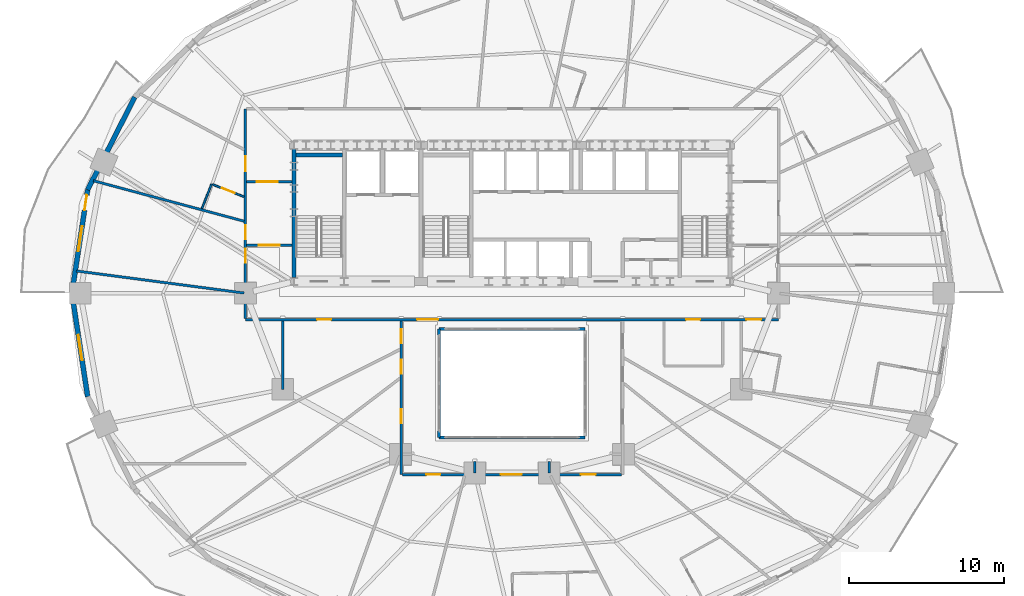
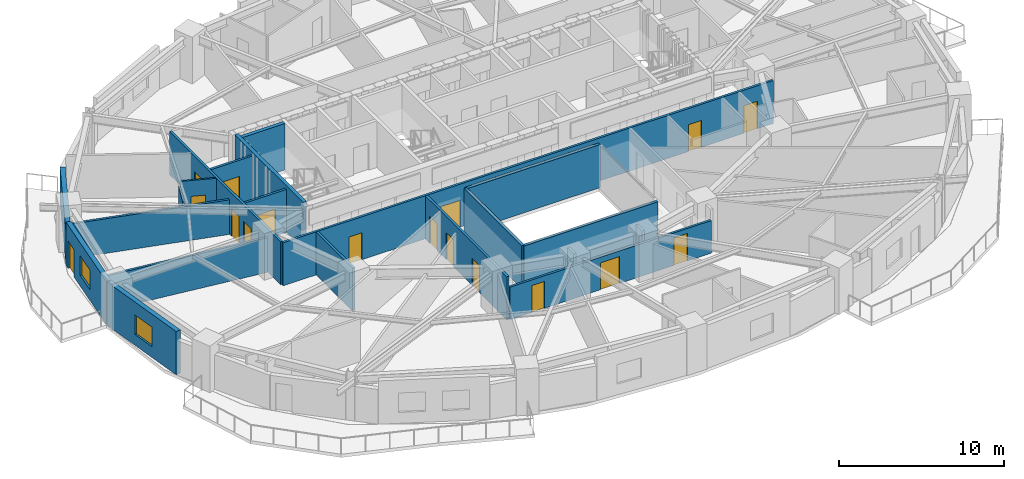
# One storey, part 8 of 15: 21 walls, 17 doors, 2 windows, 19 openings.
"""IFC4 building model written with IfcOpenShell, lengths in metres."""

from ifc_helpers import new_model, si_unit, direction, frame, frame_2d, origin, place, context, subcontext, project, spatial, rectangle, extrude, material, layer, layer_set, type_object, element, fill, save


model = new_model("IFC4")

# Units and contexts
model_context = context("Model", 3, precision=1e-05, world=origin(), true_north=direction((0.0, 1.0)))
body_context = subcontext(model_context, "Body", "Model", "MODEL_VIEW")
ifc_project = project(units=[si_unit("LENGTHUNIT", "METRE"), si_unit("AREAUNIT", "SQUARE_METRE"), si_unit("VOLUMEUNIT", "CUBIC_METRE"), si_unit("PLANEANGLEUNIT", "RADIAN"), si_unit("MASSUNIT", "GRAM", prefix="KILO")], contexts=[model_context])

# Site, building, storey
site_placement = place(None, origin())
site = spatial("IfcSite", under=ifc_project, at=site_placement, CompositionType="ELEMENT")
building_placement = place(site_placement, origin())
building = spatial("IfcBuilding", under=site, at=building_placement, Name="Haldorwick Loom Tower", CompositionType="ELEMENT")
storey_placement = place(building_placement, frame((0.0, 0.0, 85.25)))
storey = spatial("IfcBuildingStorey", under=building, at=storey_placement, Name="L22", CompositionType="ELEMENT", Elevation=85.25)

# Wall
ifc_material_1 = material(Name="Pressed Clay Face Brick and Insulated Masonry Backup Assembly", Category="masonry")
ifc_layer_1 = layer(ifc_material_1, 0.320068359375, Name="Pressed Clay Face Brick and Insulated Masonry Backup Assembly", Category="masonry")
ifc_layer_set_1 = layer_set([ifc_layer_1], Name="Pressed Clay Face Brick and Insulated Masonry Backup Assembly")
wall_type_1 = type_object("IfcWallType", Name="ARC-WL-EXT320", PredefinedType="STANDARD", material=ifc_layer_set_1)
wall_1_placement = place(storey_placement, frame((11.661376953125, 38.655517578125, 0.0), z_axis=(0.0, 0.0, 1.0), x_axis=(-0.453374078001, -0.89132033826, 0.0)))
element("IfcWall", 1, at=wall_1_placement, inside=storey, type_object=wall_type_1, Name="L22 Brick Pier and Spandrel Wall 11", PredefinedType="STANDARD", context=body_context, shape_type="SweptSolid", body=[
    extrude(rectangle(XDim=6.709716796875, YDim=0.320068359375, at=frame_2d((3.35498046875, 0.0))), origin(), (0.0, 0.0, 1.0), 2.569091796875),
])

# Wall, openings, door, window
wall_2_placement = place(storey_placement, frame((8.619384765625, 32.675048828125, 0.0), z_axis=(0.0, 0.0, 1.0), x_axis=(-0.150633288003, -0.988589708901, 0.0)))
wall_2 = element("IfcWall", 2, at=wall_2_placement, inside=storey, type_object=wall_type_1, Name="L22 Brick Pier and Spandrel Wall 12", PredefinedType="STANDARD", context=body_context, shape_type="SweptSolid", body=[
    extrude(rectangle(XDim=6.752197265625, YDim=0.320068359375, at=frame_2d((3.3759765625, 0.0))), origin(), (0.0, 0.0, 1.0), 3.2099609375),
])
opening_1_placement = place(wall_2_placement, frame((0.340087890625, 0.0, 0.0)))
opening_1 = element("IfcOpeningElement", 3, at=opening_1_placement, cuts=wall_2, Name="Opening D-BL10", PredefinedType="OPENING", context=body_context, shape_type="SweptSolid", body=[
    extrude(rectangle(XDim=1.0, YDim=2.0400390625, at=frame_2d((0.5, 1.02001953125))), frame((0.0, 0.169921875, 0.0), z_axis=(0.0, -1.0, 0.0), x_axis=(1.0, 0.0, 0.0)), (0.0, 0.0, 1.0), 0.340087890625),
])
opening_2_placement = place(wall_2_placement, frame((2.371826171875, 0.0, 0.800048828125)))
opening_2 = element("IfcOpeningElement", 4, at=opening_2_placement, cuts=wall_2, Name="Opening W-01B", PredefinedType="OPENING", context=body_context, shape_type="SweptSolid", body=[
    extrude(rectangle(XDim=1.64990234375, YDim=1.449951171875, at=frame_2d((0.824951171875, 0.72509765625))), frame((0.0, 0.169921875, 0.0), z_axis=(0.0, -1.0, 0.0), x_axis=(1.0, 0.0, 0.0)), (0.0, 0.0, 1.0), 0.340087890625),
])
ifc_material_2 = material(Name="Thermally Broken Anodized Aluminium Curtain Wall Framing", Category="aluminium")
door_type_1 = type_object("IfcDoorType", Name="ARC-DR-BAL100", OperationType="NOTDEFINED", PredefinedType="DOOR", material=ifc_material_2)
door_1_placement = place(opening_1_placement, origin())
door_1 = element("IfcDoor", 5, at=door_1_placement, inside=storey, type_object=door_type_1, Name="L22 Outdoor Terrace Door SLB-L22-BAL_WNW", OperationType="SINGLE_SWING_RIGHT", OverallHeight=2.0400390625, OverallWidth=1.0, PredefinedType="DOOR", context=body_context, shape_type="SweptSolid", body=[
    extrude(rectangle(XDim=1.0, YDim=2.0400390625, at=frame_2d((0.5, 1.02001953125))), frame((0.0, 0.02490234375, 0.0), z_axis=(0.0, -1.0, 0.0), x_axis=(1.0, 0.0, 0.0)), (0.0, 0.0, 1.0), 0.050048828125),
])
fill(opening_1, door_1)
ifc_material_3 = material(Name="Triple-Glazed Low-E Argon Insulated Glazing Unit", Category="glass")
window_type = type_object("IfcWindowType", Name="ARC-WIN-W165", PartitioningType="SINGLE_PANEL", PredefinedType="WINDOW", material=ifc_material_3)
window_1_placement = place(opening_2_placement, origin())
window_1 = element("IfcWindow", 6, at=window_1_placement, inside=storey, type_object=window_type, Name="L22 Deep-Set Zone 7A Window 12", OverallHeight=1.449951171875, OverallWidth=1.64990234375, PartitioningType="SINGLE_PANEL", PredefinedType="WINDOW", context=body_context, shape_type="SweptSolid", body=[
    extrude(rectangle(XDim=1.64990234375, YDim=1.449951171875, at=frame_2d((0.824951171875, 0.72509765625))), frame((0.0, 0.030029296875, 0.0), z_axis=(0.0, -1.0, 0.0), x_axis=(1.0, 0.0, 0.0)), (0.0, 0.0, 1.0), 0.06005859375),
])
fill(opening_2, window_1)

# Wall, opening, window
wall_3_placement = place(storey_placement, frame((7.602294921875, 26.0, 0.0), z_axis=(0.0, 0.0, 1.0), x_axis=(0.150633288003, -0.988589708901, 0.0)))
wall_3 = element("IfcWall", 7, at=wall_3_placement, inside=storey, type_object=wall_type_1, Name="L22 Brick Pier and Spandrel Wall 13", PredefinedType="STANDARD", context=body_context, shape_type="SweptSolid", body=[
    extrude(rectangle(XDim=6.752197265625, YDim=0.320068359375, at=frame_2d((3.3759765625, 0.0))), origin(), (0.0, 0.0, 1.0), 3.2099609375),
])
opening_3_placement = place(wall_3_placement, frame((2.730224609375, 0.0, 0.800048828125)))
opening_3 = element("IfcOpeningElement", 8, at=opening_3_placement, cuts=wall_3, Name="Opening W-01B", PredefinedType="OPENING", context=body_context, shape_type="SweptSolid", body=[
    extrude(rectangle(XDim=1.64990234375, YDim=1.449951171875, at=frame_2d((0.824951171875, 0.72509765625))), frame((0.0, 0.169921875, 0.0), z_axis=(0.0, -1.0, 0.0), x_axis=(1.0, 0.0, 0.0)), (0.0, 0.0, 1.0), 0.340087890625),
])
window_2_placement = place(opening_3_placement, origin())
window_2 = element("IfcWindow", 9, at=window_2_placement, inside=storey, type_object=window_type, Name="L22 Deep-Set Zone 7A Window 13", OverallHeight=1.449951171875, OverallWidth=1.64990234375, PartitioningType="SINGLE_PANEL", PredefinedType="WINDOW", context=body_context, shape_type="SweptSolid", body=[
    extrude(rectangle(XDim=1.64990234375, YDim=1.449951171875, at=frame_2d((0.824951171875, 0.72509765625))), frame((0.0, 0.030029296875, 0.0), z_axis=(0.0, -1.0, 0.0), x_axis=(1.0, 0.0, 0.0)), (0.0, 0.0, 1.0), 0.06005859375),
])
fill(opening_3, window_2)

# Wall, openings, doors
ifc_material_4 = material(Name="Fire-Rated Type X Gypsum Stud Assembly EI 60")
ifc_layer_2 = layer(ifc_material_4, 0.159912109375, Name="Fire-Rated Type X Gypsum Stud Assembly EI 60")
ifc_layer_set_2 = layer_set([ifc_layer_2], Name="Fire-Rated Type X Gypsum Stud Assembly EI 60")
wall_type_2 = type_object("IfcWallType", Name="ARC-WL-FIRE160", PredefinedType="PARTITIONING", material=ifc_layer_set_2)
wall_4_placement = place(storey_placement, frame((18.800048828125, 24.300048828125, 0.0), z_axis=(0.0, 0.0, 1.0), x_axis=(1.0, 0.0, 0.0)))
wall_4 = element("IfcWall", 10, at=wall_4_placement, inside=storey, type_object=wall_type_2, Name="L22 Residential Fire Partition L22-CR-SP", PredefinedType="PARTITIONING", context=body_context, shape_type="SweptSolid", body=[
    extrude(rectangle(XDim=34.39990234375, YDim=0.159912109375, at=frame_2d((17.199951171875, 0.0))), origin(), (0.0, 0.0, 1.0), 3.195068359375),
])
opening_4_placement = place(wall_4_placement, frame((11.085693359375, 0.0, 0.0)))
opening_4 = element("IfcOpeningElement", 11, at=opening_4_placement, cuts=wall_4, Name="Opening D-CR15", PredefinedType="OPENING", context=body_context, shape_type="SweptSolid", body=[
    extrude(rectangle(XDim=1.35009765625, YDim=2.0, at=frame_2d((0.675048828125, 1.0))), frame((0.0, 0.08984375, 0.0), z_axis=(0.0, -1.0, 0.0), x_axis=(1.0, 0.0, 0.0)), (0.0, 0.0, 1.0), 0.179931640625),
])
opening_5_placement = place(wall_4_placement, frame((4.621826171875, 0.0, 0.0)))
opening_5 = element("IfcOpeningElement", 12, at=opening_5_placement, cuts=wall_4, Name="Opening D-FD60A", PredefinedType="OPENING", context=body_context, shape_type="SweptSolid", body=[
    extrude(rectangle(XDim=0.89990234375, YDim=2.0, at=frame_2d((0.449951171875, 1.0))), frame((0.0, 0.08984375, 0.0), z_axis=(0.0, -1.0, 0.0), x_axis=(1.0, 0.0, 0.0)), (0.0, 0.0, 1.0), 0.179931640625),
])
opening_6_placement = place(wall_4_placement, frame((28.437255859375, 0.0, 0.0)))
opening_6 = element("IfcOpeningElement", 13, at=opening_6_placement, cuts=wall_4, Name="Opening D-FD60A", PredefinedType="OPENING", context=body_context, shape_type="SweptSolid", body=[
    extrude(rectangle(XDim=0.89990234375, YDim=2.0, at=frame_2d((0.449951171875, 1.0))), frame((0.0, 0.08984375, 0.0), z_axis=(0.0, -1.0, 0.0), x_axis=(1.0, 0.0, 0.0)), (0.0, 0.0, 1.0), 0.179931640625),
])
opening_7_placement = place(wall_4_placement, frame((32.319091796875, 0.0, 0.0)))
opening_7 = element("IfcOpeningElement", 14, at=opening_7_placement, cuts=wall_4, Name="Opening D-FL95", PredefinedType="OPENING", context=body_context, shape_type="SweptSolid", body=[
    extrude(rectangle(XDim=0.949951171875, YDim=2.0400390625, at=frame_2d((0.47509765625, 1.02001953125))), frame((0.0, 0.08984375, 0.0), z_axis=(0.0, -1.0, 0.0), x_axis=(1.0, 0.0, 0.0)), (0.0, 0.0, 1.0), 0.179931640625),
])
ifc_material_5 = material(Name="Thermally Broken Anodized Aluminium and Tempered Glass", Category="aluminium")
door_type_2 = type_object("IfcDoorType", Name="ARC-DR-COR150", OperationType="NOTDEFINED", PredefinedType="DOOR", material=ifc_material_5)
door_2_placement = place(opening_4_placement, origin())
door_2 = element("IfcDoor", 15, at=door_2_placement, inside=storey, type_object=door_type_2, Name="L22 L22 Central Residential Corridor to L22 South Atrium Corridor Door", OperationType="DOUBLE_DOOR_SINGLE_SWING", OverallHeight=2.0, OverallWidth=1.35009765625, PredefinedType="DOOR", context=body_context, shape_type="SweptSolid", body=[
    extrude(rectangle(XDim=1.35009765625, YDim=2.0, at=frame_2d((0.675048828125, 1.0))), frame((0.0, 0.02490234375, 0.0), z_axis=(0.0, -1.0, 0.0), x_axis=(1.0, 0.0, 0.0)), (0.0, 0.0, 1.0), 0.050048828125),
])
fill(opening_4, door_2)
ifc_material_6 = material(Name="Hollow Steel Fire Door Assembly", Category="steel")
door_type_3 = type_object("IfcDoorType", Name="ARC-DR-FD60-90", OperationType="NOTDEFINED", PredefinedType="DOOR", material=ifc_material_6)
door_3_placement = place(opening_5_placement, origin())
door_3 = element("IfcDoor", 16, at=door_3_placement, inside=storey, type_object=door_type_3, Name="L22 L22 Central Residential Corridor to Shared Resident Dining Hall 15 D", OperationType="SINGLE_SWING_RIGHT", OverallHeight=2.0, OverallWidth=0.89990234375, PredefinedType="DOOR", context=body_context, shape_type="SweptSolid", body=[
    extrude(rectangle(XDim=0.89990234375, YDim=2.0, at=frame_2d((0.449951171875, 1.0))), frame((0.0, 0.02490234375, 0.0), z_axis=(0.0, -1.0, 0.0), x_axis=(1.0, 0.0, 0.0)), (0.0, 0.0, 1.0), 0.050048828125),
])
fill(opening_5, door_3)
door_4_placement = place(opening_6_placement, origin())
door_4 = element("IfcDoor", 17, at=door_4_placement, inside=storey, type_object=door_type_3, Name="L22 L22 Central Residential Corridor to Common Accessible WC Door", OperationType="SINGLE_SWING_LEFT", OverallHeight=2.0, OverallWidth=0.89990234375, PredefinedType="DOOR", context=body_context, shape_type="SweptSolid", body=[
    extrude(rectangle(XDim=0.89990234375, YDim=2.0, at=frame_2d((0.449951171875, 1.0))), frame((0.0, 0.02490234375, 0.0), z_axis=(0.0, -1.0, 0.0), x_axis=(1.0, 0.0, 0.0)), (0.0, 0.0, 1.0), 0.050048828125),
])
fill(opening_6, door_4)
ifc_material_7 = material(Name="Solid Core Birch Architectural Door")
door_type_4 = type_object("IfcDoorType", Name="ARC-DR-FLAT95", OperationType="NOTDEFINED", PredefinedType="DOOR", material=ifc_material_7)
door_5_placement = place(opening_7_placement, origin())
door_5 = element("IfcDoor", 18, at=door_5_placement, inside=storey, type_object=door_type_4, Name="L22 L22 Central Residential Corridor to Unit 22B Kitchen and Living Room", OperationType="SINGLE_SWING_RIGHT", OverallHeight=2.0400390625, OverallWidth=0.949951171875, PredefinedType="DOOR", context=body_context, shape_type="SweptSolid", body=[
    extrude(rectangle(XDim=0.949951171875, YDim=2.0400390625, at=frame_2d((0.47509765625, 1.02001953125))), frame((0.0, 0.02490234375, 0.0), z_axis=(0.0, -1.0, 0.0), x_axis=(1.0, 0.0, 0.0)), (0.0, 0.0, 1.0), 0.050048828125),
])
fill(opening_7, door_5)

wall_5_placement = place(storey_placement, frame((18.800048828125, 24.383056640625, 0.0), z_axis=(0.0, 0.0, 1.0), x_axis=(0.0, 1.0, 0.0)))
wall_5 = element("IfcWall", 19, at=wall_5_placement, inside=storey, type_object=wall_type_2, Name="L22 Residential Fire Partition L22-CR-W0", PredefinedType="PARTITIONING", context=body_context, shape_type="SweptSolid", body=[
    extrude(rectangle(XDim=13.516845703125, YDim=0.159912109375, at=frame_2d((6.75830078125, 0.0))), origin(), (0.0, 0.0, 1.0), 3.195068359375),
])
opening_8_placement = place(wall_5_placement, frame((3.5908203125, 0.0, 0.0)))
opening_8 = element("IfcOpeningElement", 20, at=opening_8_placement, cuts=wall_5, Name="Opening D-FD60A", PredefinedType="OPENING", context=body_context, shape_type="SweptSolid", body=[
    extrude(rectangle(XDim=0.89990234375, YDim=2.0, at=frame_2d((0.449951171875, 1.0))), frame((0.0, 0.08984375, 0.0), z_axis=(0.0, -1.0, 0.0), x_axis=(1.0, 0.0, 0.0)), (0.0, 0.0, 1.0), 0.179931640625),
])
opening_9_placement = place(wall_5_placement, frame((9.49658203125, 0.0, 0.0)))
opening_9 = element("IfcOpeningElement", 21, at=opening_9_placement, cuts=wall_5, Name="Opening D-FL95", PredefinedType="OPENING", context=body_context, shape_type="SweptSolid", body=[
    extrude(rectangle(XDim=0.949951171875, YDim=2.0400390625, at=frame_2d((0.47509765625, 1.02001953125))), frame((0.0, 0.08984375, 0.0), z_axis=(0.0, -1.0, 0.0), x_axis=(1.0, 0.0, 0.0)), (0.0, 0.0, 1.0), 0.179931640625),
])
opening_10_placement = place(wall_5_placement, frame((5.08984375, 0.0, 0.0)))
opening_10 = element("IfcOpeningElement", 22, at=opening_10_placement, cuts=wall_5, Name="Opening D-FD60A", PredefinedType="OPENING", context=body_context, shape_type="SweptSolid", body=[
    extrude(rectangle(XDim=0.89990234375, YDim=2.0, at=frame_2d((0.449951171875, 1.0))), frame((0.0, 0.08984375, 0.0), z_axis=(0.0, -1.0, 0.0), x_axis=(1.0, 0.0, 0.0)), (0.0, 0.0, 1.0), 0.179931640625),
])
door_6_placement = place(opening_8_placement, frame((0.89990234375, 0.0, 0.0), z_axis=(0.0, 0.0, 1.0), x_axis=(-1.0, 0.0, 0.0)))
door_6 = element("IfcDoor", 23, at=door_6_placement, inside=storey, type_object=door_type_3, Name="L22 Shared Resident Dining Hall 11 to L22 Central Residential Corridor D", OperationType="SINGLE_SWING_RIGHT", OverallHeight=2.0, OverallWidth=0.89990234375, PredefinedType="DOOR", context=body_context, shape_type="SweptSolid", body=[
    extrude(rectangle(XDim=0.89990234375, YDim=2.0, at=frame_2d((0.449951171875, 1.0))), frame((0.0, 0.02490234375, 0.0), z_axis=(0.0, -1.0, 0.0), x_axis=(1.0, 0.0, 0.0)), (0.0, 0.0, 1.0), 0.050048828125),
])
fill(opening_8, door_6)
door_7_placement = place(opening_10_placement, frame((0.89990234375, 0.0, 0.0), z_axis=(0.0, 0.0, 1.0), x_axis=(-1.0, 0.0, 0.0)))
door_7 = element("IfcDoor", 24, at=door_7_placement, inside=storey, type_object=door_type_3, Name="L22 Shared Resident Dining Hall 11 to L22 West Residential Corridor Door", OperationType="SINGLE_SWING_RIGHT", OverallHeight=2.0, OverallWidth=0.89990234375, PredefinedType="DOOR", context=body_context, shape_type="SweptSolid", body=[
    extrude(rectangle(XDim=0.89990234375, YDim=2.0, at=frame_2d((0.449951171875, 1.0))), frame((0.0, 0.02490234375, 0.0), z_axis=(0.0, -1.0, 0.0), x_axis=(1.0, 0.0, 0.0)), (0.0, 0.0, 1.0), 0.050048828125),
])
fill(opening_10, door_7)
door_8_placement = place(opening_9_placement, frame((0.949951171875, 0.0, 0.0), z_axis=(0.0, 0.0, 1.0), x_axis=(-1.0, 0.0, 0.0)))
door_8 = element("IfcDoor", 25, at=door_8_placement, inside=storey, type_object=door_type_4, Name="L22 Unit 22L Kitchen and Studio Living Room to L22 North Residential Cor", OperationType="SINGLE_SWING_RIGHT", OverallHeight=2.0400390625, OverallWidth=0.949951171875, PredefinedType="DOOR", context=body_context, shape_type="SweptSolid", body=[
    extrude(rectangle(XDim=0.949951171875, YDim=2.0400390625, at=frame_2d((0.47509765625, 1.02001953125))), frame((0.0, 0.02490234375, 0.0), z_axis=(0.0, -1.0, 0.0), x_axis=(1.0, 0.0, 0.0)), (0.0, 0.0, 1.0), 0.050048828125),
])
fill(opening_9, door_8)

# Wall, opening, door
wall_6_placement = place(storey_placement, frame((18.883056640625, 29.10009765625, 0.0), z_axis=(0.0, 0.0, 1.0), x_axis=(1.0, 0.0, 0.0)))
wall_6 = element("IfcWall", 26, at=wall_6_placement, inside=storey, type_object=wall_type_2, Name="L22 Residential Fire Partition L22-CR-WSJ", PredefinedType="PARTITIONING", context=body_context, shape_type="SweptSolid", body=[
    extrude(rectangle(XDim=2.923828125, YDim=0.159912109375, at=frame_2d((1.4619140625, 0.0))), origin(), (0.0, 0.0, 1.0), 3.195068359375),
])
opening_11_placement = place(wall_6_placement, frame((0.787109375, 0.0, 0.0)))
opening_11 = element("IfcOpeningElement", 27, at=opening_11_placement, cuts=wall_6, Name="Opening D-CR15", PredefinedType="OPENING", context=body_context, shape_type="SweptSolid", body=[
    extrude(rectangle(XDim=1.35009765625, YDim=2.0, at=frame_2d((0.675048828125, 1.0))), frame((0.0, 0.08984375, 0.0), z_axis=(0.0, -1.0, 0.0), x_axis=(1.0, 0.0, 0.0)), (0.0, 0.0, 1.0), 0.179931640625),
])
door_9_placement = place(opening_11_placement, origin())
door_9 = element("IfcDoor", 28, at=door_9_placement, inside=storey, type_object=door_type_2, Name="L22 L22 West Residential Corridor to L22 Central Residential Corridor Do", OperationType="DOUBLE_DOOR_SINGLE_SWING", OverallHeight=2.0, OverallWidth=1.35009765625, PredefinedType="DOOR", context=body_context, shape_type="SweptSolid", body=[
    extrude(rectangle(XDim=1.35009765625, YDim=2.0, at=frame_2d((0.675048828125, 1.0))), frame((0.0, 0.02490234375, 0.0), z_axis=(0.0, -1.0, 0.0), x_axis=(1.0, 0.0, 0.0)), (0.0, 0.0, 1.0), 0.050048828125),
])
fill(opening_11, door_9)

wall_7_placement = place(storey_placement, frame((18.883056640625, 33.199951171875, 0.0), z_axis=(0.0, 0.0, 1.0), x_axis=(1.0, 0.0, 0.0)))
wall_7 = element("IfcWall", 29, at=wall_7_placement, inside=storey, type_object=wall_type_2, Name="L22 Residential Fire Partition L22-CR-WNJ", PredefinedType="PARTITIONING", context=body_context, shape_type="SweptSolid", body=[
    extrude(rectangle(XDim=2.923828125, YDim=0.159912109375, at=frame_2d((1.4619140625, 0.0))), origin(), (0.0, 0.0, 1.0), 3.195068359375),
])
opening_12_placement = place(wall_7_placement, frame((0.637939453125, 0.0, 0.0)))
opening_12 = element("IfcOpeningElement", 30, at=opening_12_placement, cuts=wall_7, Name="Opening D-CR15", PredefinedType="OPENING", context=body_context, shape_type="SweptSolid", body=[
    extrude(rectangle(XDim=1.35009765625, YDim=2.0, at=frame_2d((0.675048828125, 1.0))), frame((0.0, 0.08984375, 0.0), z_axis=(0.0, -1.0, 0.0), x_axis=(1.0, 0.0, 0.0)), (0.0, 0.0, 1.0), 0.179931640625),
])
door_10_placement = place(opening_12_placement, origin())
door_10 = element("IfcDoor", 31, at=door_10_placement, inside=storey, type_object=door_type_2, Name="L22 L22 North Residential Corridor to L22 West Residential Corridor Door", OperationType="DOUBLE_DOOR_SINGLE_SWING", OverallHeight=2.0, OverallWidth=1.35009765625, PredefinedType="DOOR", context=body_context, shape_type="SweptSolid", body=[
    extrude(rectangle(XDim=1.35009765625, YDim=2.0, at=frame_2d((0.675048828125, 1.0))), frame((0.0, 0.02490234375, 0.0), z_axis=(0.0, -1.0, 0.0), x_axis=(1.0, 0.0, 0.0)), (0.0, 0.0, 1.0), 0.050048828125),
])
fill(opening_12, door_10)

# Wall, openings, doors
wall_8_placement = place(storey_placement, frame((28.85009765625, 14.300048828125, 0.0), z_axis=(0.0, 0.0, 1.0), x_axis=(0.0, 1.0, 0.0)))
wall_8 = element("IfcWall", 32, at=wall_8_placement, inside=storey, type_object=wall_type_2, Name="L22 Residential Fire Partition L22-CR-AW", PredefinedType="PARTITIONING", context=body_context, shape_type="SweptSolid", body=[
    extrude(rectangle(XDim=9.9169921875, YDim=0.159912109375, at=frame_2d((4.95849609375, 0.0))), origin(), (0.0, 0.0, 1.0), 3.195068359375),
])
opening_13_placement = place(wall_8_placement, frame((3.306396484375, 0.0, 0.0)))
opening_13 = element("IfcOpeningElement", 33, at=opening_13_placement, cuts=wall_8, Name="Opening D-FD60A", PredefinedType="OPENING", context=body_context, shape_type="SweptSolid", body=[
    extrude(rectangle(XDim=0.89990234375, YDim=2.0, at=frame_2d((0.449951171875, 1.0))), frame((0.0, 0.08984375, 0.0), z_axis=(0.0, -1.0, 0.0), x_axis=(1.0, 0.0, 0.0)), (0.0, 0.0, 1.0), 0.179931640625),
])
opening_14_placement = place(wall_8_placement, frame((8.475341796875, 0.0, 0.0)))
opening_14 = element("IfcOpeningElement", 34, at=opening_14_placement, cuts=wall_8, Name="Opening D-FD60A", PredefinedType="OPENING", context=body_context, shape_type="SweptSolid", body=[
    extrude(rectangle(XDim=0.89990234375, YDim=2.0, at=frame_2d((0.449951171875, 1.0))), frame((0.0, 0.08984375, 0.0), z_axis=(0.0, -1.0, 0.0), x_axis=(1.0, 0.0, 0.0)), (0.0, 0.0, 1.0), 0.179931640625),
])
opening_15_placement = place(wall_8_placement, frame((6.491943359375, 0.0, 0.0)))
opening_15 = element("IfcOpeningElement", 35, at=opening_15_placement, cuts=wall_8, Name="Opening D-FD60A", PredefinedType="OPENING", context=body_context, shape_type="SweptSolid", body=[
    extrude(rectangle(XDim=0.89990234375, YDim=2.0, at=frame_2d((0.449951171875, 1.0))), frame((0.0, 0.08984375, 0.0), z_axis=(0.0, -1.0, 0.0), x_axis=(1.0, 0.0, 0.0)), (0.0, 0.0, 1.0), 0.179931640625),
])
door_11_placement = place(opening_13_placement, frame((0.89990234375, 0.0, 0.0), z_axis=(0.0, 0.0, 1.0), x_axis=(-1.0, 0.0, 0.0)))
door_11 = element("IfcDoor", 36, at=door_11_placement, inside=storey, type_object=door_type_3, Name="L22 Shared Resident Dining Hall 15 to L22 South Atrium Corridor Door", OperationType="SINGLE_SWING_RIGHT", OverallHeight=2.0, OverallWidth=0.89990234375, PredefinedType="DOOR", context=body_context, shape_type="SweptSolid", body=[
    extrude(rectangle(XDim=0.89990234375, YDim=2.0, at=frame_2d((0.449951171875, 1.0))), frame((0.0, 0.02490234375, 0.0), z_axis=(0.0, -1.0, 0.0), x_axis=(1.0, 0.0, 0.0)), (0.0, 0.0, 1.0), 0.050048828125),
])
fill(opening_13, door_11)
door_12_placement = place(opening_14_placement, frame((0.89990234375, 0.0, 0.0), z_axis=(0.0, 0.0, 1.0), x_axis=(-1.0, 0.0, 0.0)))
door_12 = element("IfcDoor", 37, at=door_12_placement, inside=storey, type_object=door_type_3, Name="L22 Shared Resident Dining Hall 15 to L22 South Atrium Corridor Door", OperationType="SINGLE_SWING_LEFT", OverallHeight=2.0, OverallWidth=0.89990234375, PredefinedType="DOOR", context=body_context, shape_type="SweptSolid", body=[
    extrude(rectangle(XDim=0.89990234375, YDim=2.0, at=frame_2d((0.449951171875, 1.0))), frame((0.0, 0.02490234375, 0.0), z_axis=(0.0, -1.0, 0.0), x_axis=(1.0, 0.0, 0.0)), (0.0, 0.0, 1.0), 0.050048828125),
])
fill(opening_14, door_12)
door_13_placement = place(opening_15_placement, frame((0.89990234375, 0.0, 0.0), z_axis=(0.0, 0.0, 1.0), x_axis=(-1.0, 0.0, 0.0)))
door_13 = element("IfcDoor", 38, at=door_13_placement, inside=storey, type_object=door_type_3, Name="L22 Shared Resident Dining Hall 10 to L22 South Atrium Corridor Door", OperationType="SINGLE_SWING_RIGHT", OverallHeight=2.0, OverallWidth=0.89990234375, PredefinedType="DOOR", context=body_context, shape_type="SweptSolid", body=[
    extrude(rectangle(XDim=0.89990234375, YDim=2.0, at=frame_2d((0.449951171875, 1.0))), frame((0.0, 0.02490234375, 0.0), z_axis=(0.0, -1.0, 0.0), x_axis=(1.0, 0.0, 0.0)), (0.0, 0.0, 1.0), 0.050048828125),
])
fill(opening_15, door_13)

wall_9_placement = place(storey_placement, frame((28.93310546875, 14.300048828125, 0.0), z_axis=(0.0, 0.0, 1.0), x_axis=(1.0, 0.0, 0.0)))
wall_9 = element("IfcWall", 39, at=wall_9_placement, inside=storey, type_object=wall_type_2, Name="L22 Residential Fire Partition L22-CR-AS", PredefinedType="PARTITIONING", context=body_context, shape_type="SweptSolid", body=[
    extrude(rectangle(XDim=14.1337890625, YDim=0.159912109375, at=frame_2d((7.06689453125, 0.0))), origin(), (0.0, 0.0, 1.0), 2.412109375),
])
opening_16_placement = place(wall_9_placement, frame((6.3447265625, 0.0, 0.0)))
opening_16 = element("IfcOpeningElement", 40, at=opening_16_placement, cuts=wall_9, Name="Opening D-CR15", PredefinedType="OPENING", context=body_context, shape_type="SweptSolid", body=[
    extrude(rectangle(XDim=1.35009765625, YDim=2.0, at=frame_2d((0.675048828125, 1.0))), frame((0.0, 0.08984375, 0.0), z_axis=(0.0, -1.0, 0.0), x_axis=(1.0, 0.0, 0.0)), (0.0, 0.0, 1.0), 0.179931640625),
])
opening_17_placement = place(wall_9_placement, frame((11.5126953125, 0.0, 0.0)))
opening_17 = element("IfcOpeningElement", 41, at=opening_17_placement, cuts=wall_9, Name="Opening D-FL95", PredefinedType="OPENING", context=body_context, shape_type="SweptSolid", body=[
    extrude(rectangle(XDim=0.949951171875, YDim=2.0400390625, at=frame_2d((0.47509765625, 1.02001953125))), frame((0.0, 0.08984375, 0.0), z_axis=(0.0, -1.0, 0.0), x_axis=(1.0, 0.0, 0.0)), (0.0, 0.0, 1.0), 0.179931640625),
])
opening_18_placement = place(wall_9_placement, frame((1.53759765625, 0.0, 0.0)))
opening_18 = element("IfcOpeningElement", 42, at=opening_18_placement, cuts=wall_9, Name="Opening D-FD60A", PredefinedType="OPENING", context=body_context, shape_type="SweptSolid", body=[
    extrude(rectangle(XDim=0.89990234375, YDim=2.0, at=frame_2d((0.449951171875, 1.0))), frame((0.0, 0.08984375, 0.0), z_axis=(0.0, -1.0, 0.0), x_axis=(1.0, 0.0, 0.0)), (0.0, 0.0, 1.0), 0.179931640625),
])
door_14_placement = place(opening_16_placement, origin())
door_14 = element("IfcDoor", 43, at=door_14_placement, inside=storey, type_object=door_type_2, Name="L22 L22 South Atrium Corridor to Unit 22H Kitchen and Living Room Door", OperationType="DOUBLE_DOOR_SINGLE_SWING", OverallHeight=2.0, OverallWidth=1.35009765625, PredefinedType="DOOR", context=body_context, shape_type="SweptSolid", body=[
    extrude(rectangle(XDim=1.35009765625, YDim=2.0, at=frame_2d((0.675048828125, 1.0))), frame((0.0, 0.02490234375, 0.0), z_axis=(0.0, -1.0, 0.0), x_axis=(1.0, 0.0, 0.0)), (0.0, 0.0, 1.0), 0.050048828125),
])
fill(opening_16, door_14)
door_15_placement = place(opening_18_placement, origin())
door_15 = element("IfcDoor", 44, at=door_15_placement, inside=storey, type_object=door_type_3, Name="L22 L22 South Atrium Corridor to Co-Working Office 1 Door", OperationType="SINGLE_SWING_RIGHT", OverallHeight=2.0, OverallWidth=0.89990234375, PredefinedType="DOOR", context=body_context, shape_type="SweptSolid", body=[
    extrude(rectangle(XDim=0.89990234375, YDim=2.0, at=frame_2d((0.449951171875, 1.0))), frame((0.0, 0.02490234375, 0.0), z_axis=(0.0, -1.0, 0.0), x_axis=(1.0, 0.0, 0.0)), (0.0, 0.0, 1.0), 0.050048828125),
])
fill(opening_18, door_15)
door_16_placement = place(opening_17_placement, origin())
door_16 = element("IfcDoor", 45, at=door_16_placement, inside=storey, type_object=door_type_4, Name="L22 L22 South Atrium Corridor to Unit 22A Kitchen and Studio Living Room", OperationType="SINGLE_SWING_RIGHT", OverallHeight=2.0400390625, OverallWidth=0.949951171875, PredefinedType="DOOR", context=body_context, shape_type="SweptSolid", body=[
    extrude(rectangle(XDim=0.949951171875, YDim=2.0400390625, at=frame_2d((0.47509765625, 1.02001953125))), frame((0.0, 0.02490234375, 0.0), z_axis=(0.0, -1.0, 0.0), x_axis=(1.0, 0.0, 0.0)), (0.0, 0.0, 1.0), 0.050048828125),
])
fill(opening_17, door_16)

# Walls
wall_10_placement = place(storey_placement, frame((18.717041015625, 26.010986328125, 0.0), z_axis=(0.0, 0.0, 1.0), x_axis=(-0.991444783686, 0.130526782315, 0.0)))
element("IfcWall", 46, at=wall_10_placement, inside=storey, type_object=wall_type_2, Name="L22 Residential Fire Partition L22-ICR-12", PredefinedType="PARTITIONING", context=body_context, shape_type="SweptSolid", body=[
    extrude(rectangle(XDim=10.92333984375, YDim=0.159912109375, at=frame_2d((5.461669921875, 0.0))), origin(), (0.0, 0.0, 1.0), 2.568115234375),
])
for number, where, z_axis, x_axis, name in (
    (47, (38.39990234375, 15.14990234375, 0.0), (0.0, 0.0, 1.0), (0.0, -1.0, 0.0), "L22 Residential Fire Partition L22-ICA-06"),
    (48, (33.60009765625, 15.14990234375, 0.0), (0.0, 0.0, 1.0), (0.0, -1.0, 0.0), "L22 Residential Fire Partition L22-ICA-08"),
):
    element("IfcWall", number, at=place(storey_placement, frame(where, z_axis=z_axis, x_axis=x_axis)), inside=storey, type_object=wall_type_2, Name=name, PredefinedType="PARTITIONING", context=body_context, shape_type="SweptSolid", body=[
        extrude(rectangle(XDim=0.75, YDim=0.159912109375, at=frame_2d((0.375, 0.0))), origin(), (0.0, 0.0, 1.0), 3.195068359375),
    ])
wall_11_placement = place(storey_placement, frame((21.199951171875, 24.217041015625, 0.0), z_axis=(0.0, 0.0, 1.0), x_axis=(0.0, -1.0, 0.0)))
element("IfcWall", 49, at=wall_11_placement, inside=storey, type_object=wall_type_2, Name="L22 Residential Fire Partition L22-ICA-11", PredefinedType="PARTITIONING", context=body_context, shape_type="SweptSolid", body=[
    extrude(rectangle(XDim=4.4169921875, YDim=0.159912109375, at=frame_2d((2.20849609375, 0.0))), origin(), (0.0, 0.0, 1.0), 3.195068359375),
])
wall_12_placement = place(storey_placement, frame((18.717041015625, 30.645263671875, 0.0), z_axis=(0.0, 0.0, 1.0), x_axis=(-0.96573103827, 0.259544912727, 0.0)))
element("IfcWall", 50, at=wall_12_placement, inside=storey, type_object=wall_type_2, Name="L22 Suite Split Wall", PredefinedType="PARTITIONING", context=body_context, shape_type="SweptSolid", body=[
    extrude(rectangle(XDim=10.072509765625, YDim=0.159912109375, at=frame_2d((5.0361328125, 0.0))), origin(), (0.0, 0.0, 1.0), 2.568115234375),
])
ifc_material_8 = material(Name="Fire-Rated Type X Gypsum Stud Assembly EI 120")
ifc_layer_3 = layer(ifc_material_8, 0.199951171875, Name="Fire-Rated Type X Gypsum Stud Assembly EI 120")
ifc_layer_set_3 = layer_set([ifc_layer_3], Name="Fire-Rated Type X Gypsum Stud Assembly EI 120")
wall_type_3 = type_object("IfcWallType", Name="ARC-WL-FIRE200", PredefinedType="PARTITIONING", material=ifc_layer_set_3)
for number, where, z_axis, x_axis, name in (
    (51, (31.300048828125, 23.699951171875, 0.0), (0.0, 0.0, 1.0), (1.0, 0.0, 0.0), "L22 Atrium Fire Enclosure Wall N"),
    (52, (40.699951171875, 16.699951171875, 0.0), (0.0, 0.0, 1.0), (-1.0, 0.0, 0.0), "L22 Atrium Fire Enclosure Wall S"),
):
    element("IfcWall", number, at=place(storey_placement, frame(where, z_axis=z_axis, x_axis=x_axis)), inside=storey, type_object=wall_type_3, Name=name, PredefinedType="PARTITIONING", context=body_context, shape_type="SweptSolid", body=[
        extrude(rectangle(XDim=9.39990234375, YDim=0.199951171875, at=frame_2d((4.699951171875, 0.0))), origin(), (0.0, 0.0, 1.0), 3.195068359375),
    ])
wall_13_placement = place(storey_placement, frame((31.300048828125, 16.699951171875, 0.0), z_axis=(0.0, 0.0, 1.0), x_axis=(0.0, 1.0, 0.0)))
element("IfcWall", 53, at=wall_13_placement, inside=storey, type_object=wall_type_3, Name="L22 Atrium Fire Enclosure Wall W", PredefinedType="PARTITIONING", context=body_context, shape_type="SweptSolid", body=[
    extrude(rectangle(XDim=7.0, YDim=0.199951171875, at=frame_2d((3.5, 0.0))), origin(), (0.0, 0.0, 1.0), 3.195068359375),
])
ifc_material_9 = material(Name="Acoustic Gypsum Stud Assembly STC 55")
ifc_layer_4 = layer(ifc_material_9, 0.1201171875, Name="Acoustic Gypsum Stud Assembly STC 55")
ifc_layer_set_4 = layer_set([ifc_layer_4], Name="Acoustic Gypsum Stud Assembly STC 55")
wall_type_4 = type_object("IfcWallType", Name="ARC-WL-PART120", PredefinedType="PARTITIONING", material=ifc_layer_set_4)
wall_14_placement = place(storey_placement, frame((16.614013671875, 33.04443359375, 0.0), z_axis=(0.0, 0.0, 1.0), x_axis=(-0.364789511163, -0.931090013127, 0.0)))
element("IfcWall", 54, at=wall_14_placement, inside=storey, type_object=wall_type_4, Name="L22 Unit 22L Interior Partition", PredefinedType="PARTITIONING", context=body_context, shape_type="SweptSolid", body=[
    extrude(rectangle(XDim=1.698486328125, YDim=0.1201171875, at=frame_2d((0.84912109375, 0.0))), origin(), (0.0, 0.0, 1.0), 2.826904296875),
])

# Wall, opening, door
wall_15_placement = place(storey_placement, frame((18.717041015625, 32.220458984375, 0.0), z_axis=(0.0, 0.0, 1.0), x_axis=(-0.931083565295, 0.364805968203, 0.0)))
wall_15 = element("IfcWall", 55, at=wall_15_placement, inside=storey, type_object=wall_type_4, Name="L22 Unit 22L Interior Partition", PredefinedType="PARTITIONING", context=body_context, shape_type="SweptSolid", body=[
    extrude(rectangle(XDim=2.19580078125, YDim=0.1201171875, at=frame_2d((1.097900390625, 0.0))), origin(), (0.0, 0.0, 1.0), 3.195068359375),
])
opening_19_placement = place(wall_15_placement, frame((0.65771484375, 0.0, 0.0)))
opening_19 = element("IfcOpeningElement", 56, at=opening_19_placement, cuts=wall_15, Name="Opening D-BT88", PredefinedType="OPENING", context=body_context, shape_type="SweptSolid", body=[
    extrude(rectangle(XDim=0.8798828125, YDim=2.02001953125, at=frame_2d((0.43994140625, 1.010009765625))), frame((0.0, 0.070068359375, 0.0), z_axis=(0.0, -1.0, 0.0), x_axis=(1.0, 0.0, 0.0)), (0.0, 0.0, 1.0), 0.14013671875),
])
door_type_5 = type_object("IfcDoorType", Name="ARC-DR-BATH88", OperationType="NOTDEFINED", PredefinedType="DOOR", material=ifc_material_7)
door_17_placement = place(opening_19_placement, origin())
door_17 = element("IfcDoor", 57, at=door_17_placement, inside=storey, type_object=door_type_5, Name="L22 Unit 22L Bathroom to Unit 22L Kitchen and Studio Living Room Door", OperationType="SINGLE_SWING_LEFT", OverallHeight=2.02001953125, OverallWidth=0.8798828125, PredefinedType="DOOR", context=body_context, shape_type="SweptSolid", body=[
    extrude(rectangle(XDim=0.8798828125, YDim=2.02001953125, at=frame_2d((0.43994140625, 1.010009765625))), frame((0.0, 0.02490234375, 0.0), z_axis=(0.0, -1.0, 0.0), x_axis=(1.0, 0.0, 0.0)), (0.0, 0.0, 1.0), 0.050048828125),
])
fill(opening_19, door_17)

# Walls
ifc_material_10 = material(Name="Concrete C50 (50 MPa)", Category="concrete")
ifc_layer_5 = layer(ifc_material_10, 0.239990234375, Name="Concrete C50 (50 MPa)", Category="concrete")
ifc_layer_set_5 = layer_set([ifc_layer_5], Name="Concrete C50 (50 MPa)")
wall_type_5 = type_object("IfcWallType", Name="STR-WL-SHAFT240", PredefinedType="SHEAR", material=ifc_layer_set_5)
wall_16_placement = place(storey_placement, frame((21.929931640625, 35.297119140625, 0.0), z_axis=(0.0, 0.0, 1.0), x_axis=(0.0, -1.0, 0.0)))
element("IfcWall", 58, at=wall_16_placement, inside=storey, type_object=wall_type_5, Name="L22 Core Shear Wall W", PredefinedType="SHEAR", context=body_context, shape_type="SweptSolid", body=[
    extrude(rectangle(XDim=8.294189453125, YDim=0.239990234375, at=frame_2d((4.14697265625, 0.0))), origin(), (0.0, 0.0, 1.0), 3.449951171875),
])
wall_17_placement = place(storey_placement, frame((22.052978515625, 34.919921875, 0.0), z_axis=(0.0, 0.0, 1.0), x_axis=(1.0, 0.0, 0.0)))
element("IfcWall", 59, at=wall_17_placement, inside=storey, type_object=wall_type_5, Name="L22 Core Shear Wall 1N", PredefinedType="SHEAR", context=body_context, shape_type="SweptSolid", body=[
    extrude(rectangle(XDim=2.994140625, YDim=0.239990234375, at=frame_2d((1.4970703125, 0.0))), origin(), (0.0, 0.0, 1.0), 3.449951171875),
])

save(model, "model.ifc")
